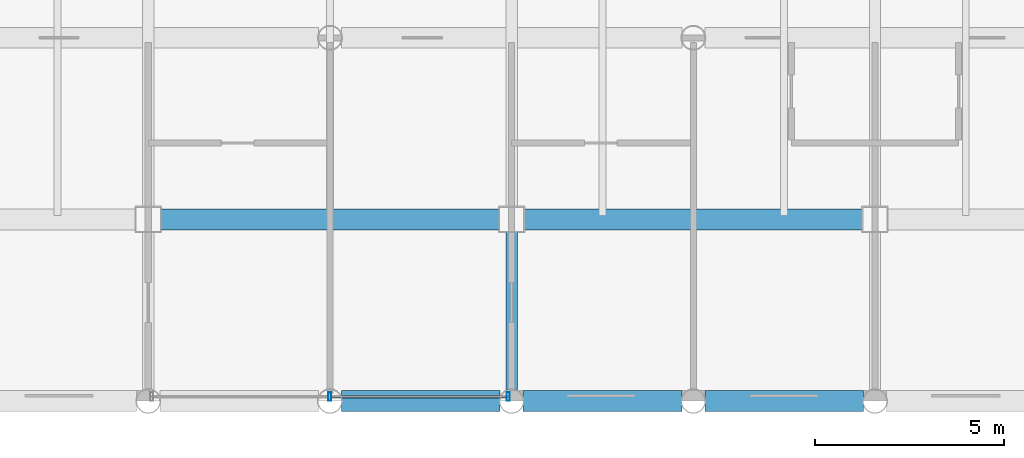
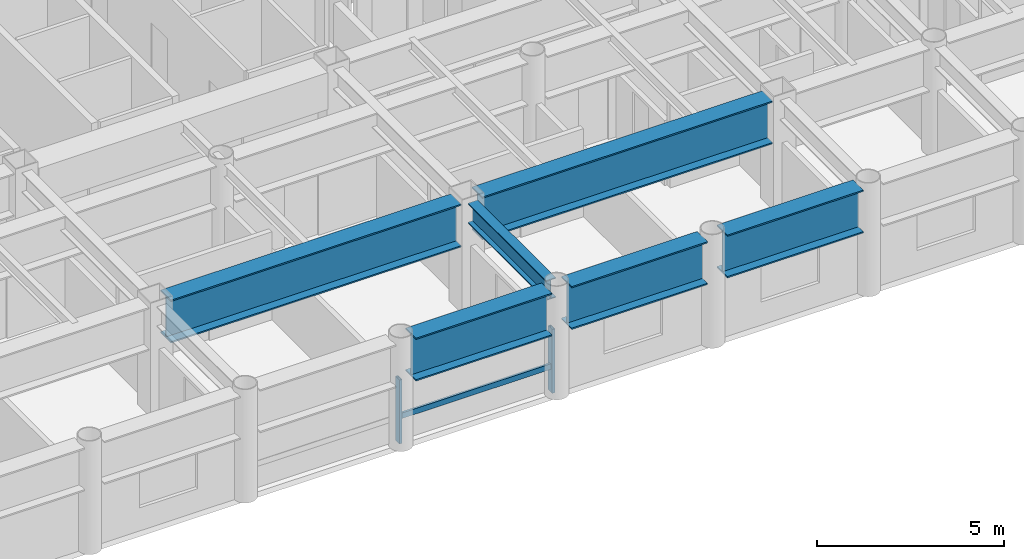
# One storey, part 7 of 23: 6 beams, 3 members, 1 element without a shape of its own.
"""IFC4 building model written with IfcOpenShell, lengths in metres."""

import ifcopenshell
import ifcopenshell.guid

model = None  # the IFC model being written
_history = None  # IfcOwnerHistory: only IFC2X3 demands one
_inside = {}  # id of a spatial element -> (the spatial element, [elements in it])
_under = {}  # id of a project, library or spatial element -> (it, [spatial elements below it])
_declared = {}  # id of a project -> (the project, [libraries it declares])
_typed = {}  # id of a type object -> (the type object, [elements of that type])
_made_of = {}  # id of a material, layer set ... -> (it, [elements and type objects made of it])


def new_model(schema):
    """Start an empty IFC model of exactly this schema.

    Asked for "IFC4X3", IfcOpenShell would pick the latest addendum, in which some entities
    have other attributes; the version numbers below select the first issue.
    IFC2X3 requires an IfcOwnerHistory on every rooted entity: one is made here for all.
    """
    global model, _history
    if schema == "IFC4X3":
        model = ifcopenshell.file(schema_version=(4, 3, 0, 0))
    else:
        model = ifcopenshell.file(schema=schema)
    _inside.clear()
    _under.clear()
    _declared.clear()
    _typed.clear()
    _made_of.clear()
    _history = None
    if model.schema == "IFC2X3":
        org = make("IfcOrganization", Name="unknown")
        user = make(
            "IfcPersonAndOrganization",
            ThePerson=make("IfcPerson", FamilyName="unknown"),
            TheOrganization=org,
        )
        app = make(
            "IfcApplication",
            ApplicationDeveloper=org,
            Version="unknown",
            ApplicationFullName="unknown",
            ApplicationIdentifier="unknown",
        )
        _history = make(
            "IfcOwnerHistory",
            OwningUser=user,
            OwningApplication=app,
            ChangeAction="ADDED",
            CreationDate=0,
        )
    return model


def make(cls, **values):
    """One entity of the class cls with the attributes given. An attribute that is None is left unset."""
    return model.create_entity(
        cls, **{name: value for name, value in values.items() if value is not None}
    )


def rooted(cls, **values):
    """An entity with a GlobalId (a new one), such as an element, a storey or a relation."""
    return make(cls, GlobalId=ifcopenshell.guid.new(), OwnerHistory=_history, **values)


def si_unit(unit_type, name, prefix=None):
    """IfcSIUnit, for example si_unit("LENGTHUNIT", "METRE", prefix="MILLI")."""
    return make("IfcSIUnit", UnitType=unit_type, Prefix=prefix, Name=name)


def assignment(units):
    """IfcUnitAssignment: the units of a project."""
    return None if units is None else make("IfcUnitAssignment", Units=units)


def point(xyz):
    """IfcCartesianPoint."""
    return None if xyz is None else make("IfcCartesianPoint", Coordinates=xyz)


def direction(xyz):
    """IfcDirection."""
    return None if xyz is None else make("IfcDirection", DirectionRatios=xyz)


def frame(location, z_axis=None, x_axis=None):
    """IfcAxis2Placement3D, a coordinate frame: its origin and axes. An axis left out is left unset."""
    return make(
        "IfcAxis2Placement3D",
        Location=point(location),
        Axis=direction(z_axis),
        RefDirection=direction(x_axis),
    )


def frame_2d(location, x_axis=None):
    """IfcAxis2Placement2D, a coordinate frame in the plane: its origin and x axis."""
    return make(
        "IfcAxis2Placement2D", Location=point(location), RefDirection=direction(x_axis)
    )


def origin():
    """The frame at (0, 0, 0) with its axes left unset."""
    return frame((0.0, 0.0, 0.0))


def origin_2d():
    """The frame at (0, 0) in the plane with its x axis left unset."""
    return frame_2d((0.0, 0.0))


def place(relative_to, where):
    """IfcLocalPlacement: puts the frame where relative to a parent placement (None: the world)."""
    return make(
        "IfcLocalPlacement", PlacementRelTo=relative_to, RelativePlacement=where
    )


def context(
    kind, dimensions, precision=None, world=None, true_north=None, identifier=None
):
    """IfcGeometricRepresentationContext, for example the 3D "Model" context."""
    return make(
        "IfcGeometricRepresentationContext",
        ContextIdentifier=identifier,
        ContextType=kind,
        CoordinateSpaceDimension=dimensions,
        Precision=precision,
        WorldCoordinateSystem=world,
        TrueNorth=true_north,
    )


def subcontext(parent, identifier, kind, view, scale=None):
    """IfcGeometricRepresentationSubContext, for example "Body" below "Model"."""
    return make(
        "IfcGeometricRepresentationSubContext",
        ContextIdentifier=identifier,
        ContextType=kind,
        ParentContext=parent,
        TargetScale=scale,
        TargetView=view,
    )


def project(units=None, contexts=None):
    """IfcProject with its units and contexts."""
    return rooted(
        "IfcProject",
        Name="project",
        RepresentationContexts=contexts,
        UnitsInContext=assignment(units),
    )


def spatial(cls, under=None, at=None, **own):
    """A site, building, storey or space (cls), placed at a placement, below another one or the project."""
    s = rooted(cls, ObjectPlacement=at, **own)
    if under is not None:
        _under.setdefault(under.id(), (under, []))[1].append(s)
    return s


def profile(cls, at=None, kind="AREA", **sizes):
    """A parametric profile (cls). Its sizes go by their IFC names, for example OverallWidth=200.0."""
    return make(cls, ProfileType=kind, Position=at, **sizes)


def hollow_rectangle(**sizes):
    """IfcRectangleHollowProfileDef."""
    return profile("IfcRectangleHollowProfileDef", **sizes)


def i_section(**sizes):
    """IfcIShapeProfileDef."""
    return profile("IfcIShapeProfileDef", **sizes)


def extrude(swept, where, along, depth):
    """IfcExtrudedAreaSolid: the profile swept, set in the frame where, extruded along a direction by depth."""
    return make(
        "IfcExtrudedAreaSolid",
        SweptArea=swept,
        Position=where,
        ExtrudedDirection=direction(along),
        Depth=depth,
    )


def shape(context_of_items, identifier, shape_type, items):
    """IfcShapeRepresentation: the items that make up one representation, for example the "Body"."""
    return make(
        "IfcShapeRepresentation",
        ContextOfItems=context_of_items,
        RepresentationIdentifier=identifier,
        RepresentationType=shape_type,
        Items=items,
    )


def material(Name=None, Category=None):
    """IfcMaterial."""
    return make("IfcMaterial", Name=Name, Category=Category)


def layer(
    of_material, thickness, ventilated=None, Name=None, Category=None, Priority=None
):
    """IfcMaterialLayer: one layer of a wall or slab, of a material (None: an air gap)."""
    return make(
        "IfcMaterialLayer",
        Material=of_material,
        LayerThickness=thickness,
        IsVentilated=ventilated,
        Name=Name,
        Category=Category,
        Priority=Priority,
    )


def layer_set(layers, Name=None):
    """IfcMaterialLayerSet."""
    return make("IfcMaterialLayerSet", MaterialLayers=layers, LayerSetName=Name)


def material_profile(
    of_material, cross_section, Name=None, Category=None, Priority=None
):
    """IfcMaterialProfile: a cross section and its material."""
    return make(
        "IfcMaterialProfile",
        Name=Name,
        Material=of_material,
        Profile=cross_section,
        Priority=Priority,
        Category=Category,
    )


def profile_set(profiles, Name=None, composite=None):
    """IfcMaterialProfileSet."""
    return make(
        "IfcMaterialProfileSet",
        Name=Name,
        MaterialProfiles=profiles,
        CompositeProfile=composite,
    )


def made_of(thing, what):
    """Note that an element or type object is made of a material, layer set ...; save() writes the relation."""
    if what is not None:
        _made_of.setdefault(what.id(), (what, []))[1].append(thing)
    return thing


def type_object(cls, material=None, **own):
    """A type object (cls), such as IfcWallType, which elements share."""
    return made_of(rooted(cls, **own), material)


def element(
    cls,
    number,
    at=None,
    inside=None,
    cuts=None,
    type_object=None,
    material=None,
    context=None,
    identifier="Body",
    shape_type=None,
    held_by="IfcProductDefinitionShape",
    body=None,
    shapes=None,
    **own,
):
    """One element of the class cls, such as IfcWall. Its Tag is "e" and its number.

    at: its placement. inside: the storey or other place that contains it. cuts: it is an
    opening in that element (IfcRelVoidsElement). A single representation is given by context,
    identifier, shape_type and body (its items); several are given by shapes. held_by: the class
    of the entity that holds the representations. save() writes the other relations.
    """
    e = rooted(cls, Tag="e%d" % number, ObjectPlacement=at, **own)
    if body is not None:
        shapes = [shape(context, identifier, shape_type, body)]
    if shapes is not None:
        e.Representation = make(held_by, Representations=shapes)
    if inside is not None:
        _inside.setdefault(inside.id(), (inside, []))[1].append(e)
    if cuts is not None:
        rooted(
            "IfcRelVoidsElement", RelatingBuildingElement=cuts, RelatedOpeningElement=e
        )
    if type_object is not None:
        _typed.setdefault(type_object.id(), (type_object, []))[1].append(e)
    return made_of(e, material)


def aggregate(whole, parts):
    """IfcRelAggregates: a whole, such as a stair, and the parts it consists of."""
    return rooted("IfcRelAggregates", RelatingObject=whole, RelatedObjects=parts)


def save(model, path):
    """Write the relations noted so far, then the file.

    IfcRelAggregates (storeys below a building ...), IfcRelContainedInSpatialStructure (elements
    in a storey), IfcRelDefinesByType, IfcRelAssociatesMaterial and IfcRelDeclares: one each for
    every whole, place, type object, material and project.
    """
    for whole, parts in _under.values():
        aggregate(whole, parts)
    for where, things in _inside.values():
        rooted(
            "IfcRelContainedInSpatialStructure",
            RelatedElements=things,
            RelatingStructure=where,
        )
    for kind, things in _typed.values():
        rooted("IfcRelDefinesByType", RelatedObjects=things, RelatingType=kind)
    for what, things in _made_of.values():
        rooted("IfcRelAssociatesMaterial", RelatedObjects=things, RelatingMaterial=what)
    for by, libraries in _declared.values():
        rooted("IfcRelDeclares", RelatingContext=by, RelatedDefinitions=libraries)
    model.write(path)


model = new_model("IFC4")

# Units and contexts
model_context = context("Model", 3, precision=1e-05, world=origin(), true_north=direction((0.0, 1.0)))
body_context = subcontext(model_context, "Body", "Model", "MODEL_VIEW")
ifc_project = project(units=[si_unit("LENGTHUNIT", "METRE"), si_unit("AREAUNIT", "SQUARE_METRE"), si_unit("VOLUMEUNIT", "CUBIC_METRE"), si_unit("PLANEANGLEUNIT", "RADIAN"), si_unit("MASSUNIT", "GRAM", prefix="KILO")], contexts=[model_context])

# Site, building, storey
site_placement = place(None, origin())
site = spatial("IfcSite", under=ifc_project, at=site_placement, CompositionType="ELEMENT")
building_placement = place(site_placement, origin())
building = spatial("IfcBuilding", under=site, at=building_placement, Name="Kallvorn Hotel Tower", CompositionType="ELEMENT")
storey_placement = place(building_placement, frame((0.0, 0.0, 121.10009765625)))
storey = spatial("IfcBuildingStorey", under=building, at=storey_placement, Name="L29", CompositionType="ELEMENT", Elevation=121.10009765625)

# Beams
ifc_material_1 = material(Name="Structural steel S355JR", Category="steel")
ifc_material_profile_1 = material_profile(ifc_material_1, i_section(OverallWidth=0.300048828125, OverallDepth=0.64990234375, WebThickness=0.01611328125, FlangeThickness=0.031005859375, at=origin_2d()), Name="HE 650 B")
ifc_profile_set_1 = profile_set([ifc_material_profile_1], Name="Structural steel S355JR")
beam_type_1 = type_object("IfcBeamType", Name="BM_HE650B", PredefinedType="BEAM", material=ifc_profile_set_1)
beam_1_placement = place(storey_placement, frame((4.800048828125, -18.89501953125, 3.19482421875), z_axis=(0.0, 1.0, 0.0), x_axis=(-1.0, 0.0, 0.0)))
element("IfcBeam", 1, at=beam_1_placement, inside=storey, type_object=beam_type_1, Name="L30 Primary Y-Girder 122", PredefinedType="BEAM", context=body_context, shape_type="SweptSolid", body=[
    extrude(i_section(OverallWidth=0.300048828125, OverallDepth=0.64990234375, WebThickness=0.01611328125, FlangeThickness=0.031005859375, at=origin_2d()), origin(), (0.0, 0.0, 1.0), 4.169921875),
])
ifc_material_2 = material(Name="Structural steel S355JR", Category="steel")
ifc_material_profile_2 = material_profile(ifc_material_2, i_section(OverallWidth=0.550048828125, OverallDepth=1.39990234375, WebThickness=0.02490234375, FlangeThickness=0.044921875, at=origin_2d()), Name="PG 1400x550x25x45")
ifc_profile_set_2 = profile_set([ifc_material_profile_2], Name="Structural steel S355JR")
beam_type_2 = type_object("IfcBeamType", Name="BM_PG_1400", PredefinedType="BEAM", material=ifc_profile_set_2)
beam_2_placement = place(storey_placement, frame((0.304931640625, -19.199951171875, 2.81982421875), z_axis=(1.0, 0.0, 0.0), x_axis=(0.0, 1.0, 0.0)))
element("IfcBeam", 2, at=beam_2_placement, inside=storey, type_object=beam_type_2, Name="L30 Primary X-Girder 16", PredefinedType="BEAM", context=body_context, shape_type="SweptSolid", body=[
    extrude(i_section(OverallWidth=0.550048828125, OverallDepth=1.39990234375, WebThickness=0.02490234375, FlangeThickness=0.044921875, at=origin_2d()), origin(), (0.0, 0.0, 1.0), 4.190185546875),
])
for number, where, z_axis, x_axis, name in (
    (3, (5.10498046875, -19.199951171875, 2.81982421875), (1.0, 0.0, 0.0), (0.0, 1.0, 0.0), "L30 Primary X-Girder 17"),
    (4, (9.905029296875, -19.199951171875, 2.81982421875), (1.0, 0.0, 0.0), (0.0, 1.0, 0.0), "L30 Primary X-Girder 18"),
):
    element("IfcBeam", number, at=place(storey_placement, frame(where, z_axis=z_axis, x_axis=x_axis)), inside=storey, type_object=beam_type_2, Name=name, PredefinedType="BEAM", context=body_context, shape_type="SweptSolid", body=[
        extrude(i_section(OverallWidth=0.550048828125, OverallDepth=1.39990234375, WebThickness=0.02490234375, FlangeThickness=0.044921875, at=origin_2d()), origin(), (0.0, 0.0, 1.0), 4.18994140625),
    ])
beam_3_placement = place(storey_placement, frame((-4.47509765625, -14.39990234375, 2.81982421875), z_axis=(1.0, 0.0, 0.0), x_axis=(0.0, 1.0, 0.0)))
element("IfcBeam", 5, at=beam_3_placement, inside=storey, type_object=beam_type_2, Name="L30 Primary X-Girder 26", PredefinedType="BEAM", context=body_context, shape_type="SweptSolid", body=[
    extrude(i_section(OverallWidth=0.550048828125, OverallDepth=1.39990234375, WebThickness=0.02490234375, FlangeThickness=0.044921875, at=origin_2d()), origin(), (0.0, 0.0, 1.0), 8.9501953125),
])
beam_4_placement = place(storey_placement, frame((5.125, -14.39990234375, 2.81982421875), z_axis=(1.0, 0.0, 0.0), x_axis=(0.0, 1.0, 0.0)))
element("IfcBeam", 6, at=beam_4_placement, inside=storey, type_object=beam_type_2, Name="L30 Primary X-Girder 27", PredefinedType="BEAM", context=body_context, shape_type="SweptSolid", body=[
    extrude(i_section(OverallWidth=0.550048828125, OverallDepth=1.39990234375, WebThickness=0.02490234375, FlangeThickness=0.044921875, at=origin_2d()), origin(), (0.0, 0.0, 1.0), 8.949951171875),
])

# Curtain wall, members
ifc_material_3 = material(Name="Thermally broken black-anodised aluminium AA 6063-T6", Category="aluminium")
ifc_layer = layer(ifc_material_3, 0.199951171875)
ifc_layer_set = layer_set([ifc_layer], Name="CW_SYS_3_HOTEL_LOW")
curtain_wall_type = type_object("IfcCurtainWallType", Name="CW_SYS_3_HOTEL_LOW", PredefinedType="USERDEFINED", material=ifc_layer_set)
curtain_wall_placement = place(storey_placement, origin())
curtain_wall = element("IfcCurtainWall", 7, at=curtain_wall_placement, inside=storey, type_object=curtain_wall_type, Name="L29 Dark-Glass Curtain Wall CW-L29-SC", ObjectType="UNITISED CURTAIN WALL", PredefinedType="USERDEFINED")
ifc_material_4 = material(Name="Thermally broken black-anodised aluminium AA 6063-T6", Category="aluminium")
ifc_material_profile_3 = material_profile(ifc_material_4, hollow_rectangle(XDim=0.080078125, YDim=0.219970703125, WallThickness=0.0048828125, at=origin_2d()), Name="MUL 220x80")
ifc_profile_set_3 = profile_set([ifc_material_profile_3], Name="Thermally broken black-anodised aluminium AA 6063-T6")
member_type_1 = type_object("IfcMemberType", Name="CW_MULLION_220x80", PredefinedType="MULLION", material=ifc_profile_set_3)
member_1_placement = place(storey_placement, frame((0.0, -19.080078125, 0.02001953125), z_axis=(0.0, 0.0, 1.0), x_axis=(1.0, 0.0, 0.0)))
member_1 = element("IfcMember", 8, at=member_1_placement, type_object=member_type_1, Name="CW-L29-SC Mullion 01", PredefinedType="MULLION", context=body_context, shape_type="SweptSolid", body=[
    extrude(hollow_rectangle(XDim=0.080078125, YDim=0.219970703125, WallThickness=0.0048828125, at=origin_2d()), origin(), (0.0, 0.0, 1.0), 2.079833984375),
])
member_2_placement = place(storey_placement, frame((4.7099609375, -19.080078125, 0.02001953125), z_axis=(0.0, 0.0, 1.0), x_axis=(1.0, 0.0, 0.0)))
member_2 = element("IfcMember", 9, at=member_2_placement, type_object=member_type_1, Name="CW-L29-SC Mullion 02", PredefinedType="MULLION", context=body_context, shape_type="SweptSolid", body=[
    extrude(hollow_rectangle(XDim=0.080078125, YDim=0.219970703125, WallThickness=0.0048828125, at=origin_2d()), origin(), (0.0, 0.0, 1.0), 2.079833984375),
])
ifc_material_5 = material(Name="Thermally broken black-anodised aluminium AA 6063-T6", Category="aluminium")
ifc_material_profile_4 = material_profile(ifc_material_5, hollow_rectangle(XDim=0.070068359375, YDim=0.179931640625, WallThickness=0.00390625, at=origin_2d()), Name="TRN 180x70")
ifc_profile_set_4 = profile_set([ifc_material_profile_4], Name="Thermally broken black-anodised aluminium AA 6063-T6")
member_type_2 = type_object("IfcMemberType", Name="CW_TRANSOM_180x70", PredefinedType="USERDEFINED", material=ifc_profile_set_4)
member_3_placement = place(storey_placement, frame((0.0400390625, -19.080078125, 0.849853515625), z_axis=(1.0, 0.0, 0.0), x_axis=(0.0, 1.0, 0.0)))
member_3 = element("IfcMember", 10, at=member_3_placement, type_object=member_type_2, Name="CW-L29-SC Transom 01M", ObjectType="TRANSOM", PredefinedType="USERDEFINED", context=body_context, shape_type="SweptSolid", body=[
    extrude(hollow_rectangle(XDim=0.070068359375, YDim=0.179931640625, WallThickness=0.00390625, at=origin_2d()), origin(), (0.0, 0.0, 1.0), 4.669921875),
])
aggregate(curtain_wall, [member_1, member_2, member_3])

save(model, "model.ifc")
